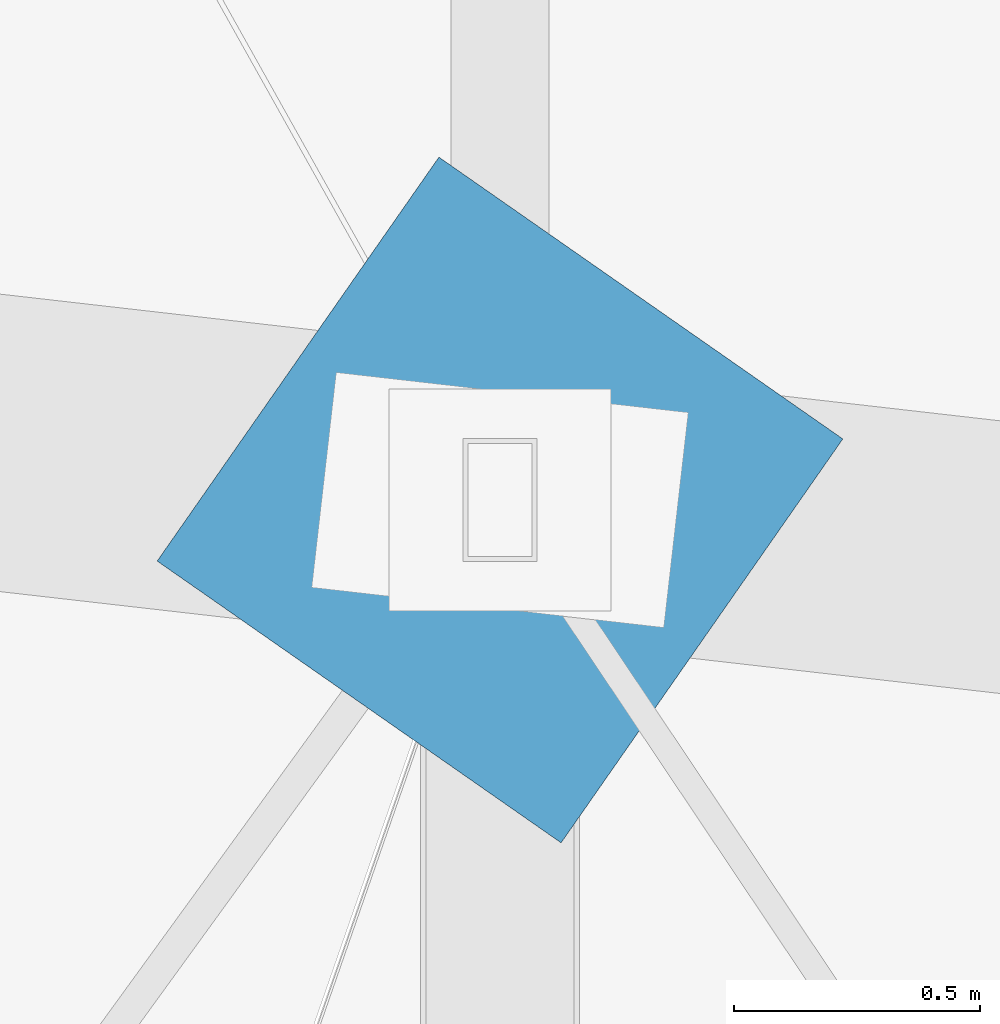
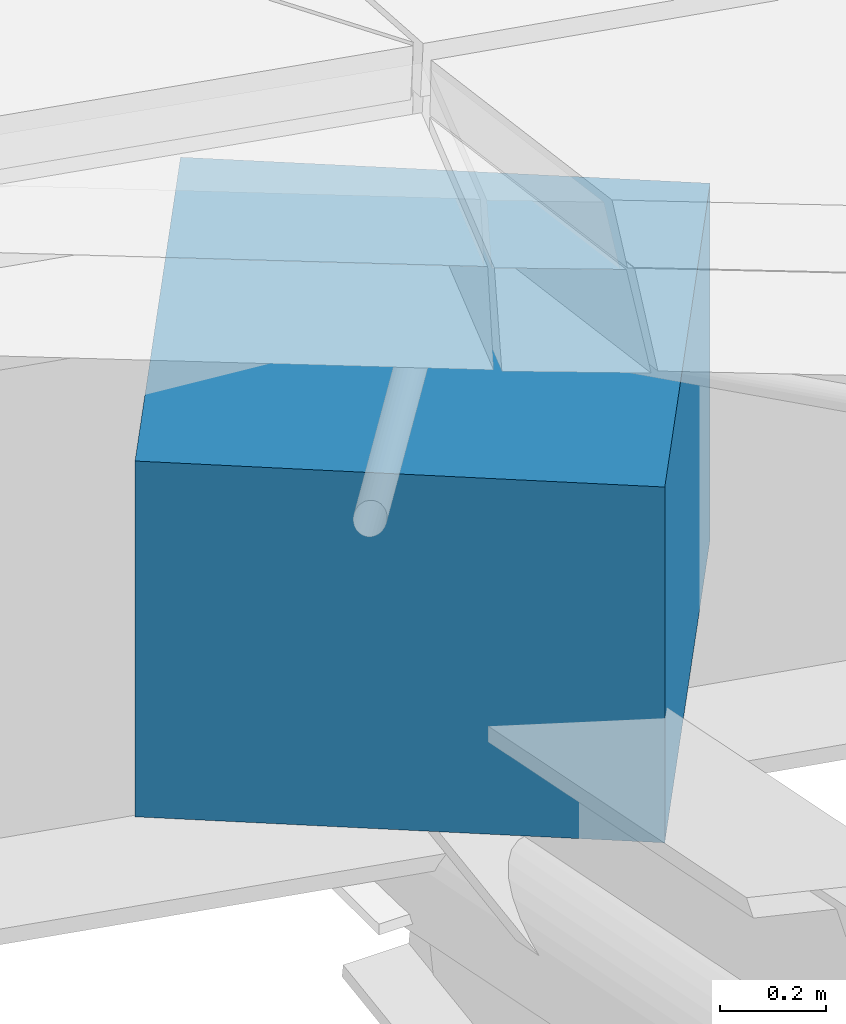
# One storey, part 5 of 68: 1 column.
"""IFC4 building model written with IfcOpenShell, lengths in metres."""

from ifc_helpers import new_model, si_unit, direction, frame, origin, origin_2d, place, context, subcontext, project, spatial, rectangle, extrude, material, material_profile, profile_set, type_object, element, save


model = new_model("IFC4")

# Units and contexts
model_context = context("Model", 3, precision=1e-05, world=origin(), true_north=direction((0.0, 1.0)))
body_context = subcontext(model_context, "Body", "Model", "MODEL_VIEW")
ifc_project = project(units=[si_unit("LENGTHUNIT", "METRE"), si_unit("AREAUNIT", "SQUARE_METRE"), si_unit("VOLUMEUNIT", "CUBIC_METRE"), si_unit("PLANEANGLEUNIT", "RADIAN"), si_unit("MASSUNIT", "GRAM", prefix="KILO")], contexts=[model_context])

# Site, building, storey
site_placement = place(None, origin())
site = spatial("IfcSite", under=ifc_project, at=site_placement, CompositionType="ELEMENT")
building_placement = place(site_placement, origin())
building = spatial("IfcBuilding", under=site, at=building_placement, Name="Sohan Crest Arena", CompositionType="ELEMENT")
storey_placement = place(building_placement, frame((0.0, 0.0, 27.0)))
storey = spatial("IfcBuildingStorey", under=building, at=storey_placement, Name="RF", CompositionType="ELEMENT", Elevation=27.0)

# Column
ifc_material = material(Name="Concrete C40/50", Category="concrete")
ifc_material_profile = material_profile(ifc_material, rectangle(XDim=1.0, YDim=1.0, at=origin_2d()), Name="RC 1000x1000")
ifc_profile_set = profile_set([ifc_material_profile], Name="Concrete C40/50")
column_type = type_object("IfcColumnType", Name="STR-COL-C09", PredefinedType="COLUMN", material=ifc_profile_set)
column_placement = place(storey_placement, frame((118.0, 106.714111328125, 0.0), z_axis=(0.0, 0.0, 1.0), x_axis=(0.572145873446, 0.820151875874, 0.0)))
element("IfcColumn", 1, at=column_placement, inside=storey, type_object=column_type, Name="Structural column COL-V1R-33-RF", PredefinedType="COLUMN", context=body_context, shape_type="SweptSolid", body=[
    extrude(rectangle(XDim=1.0, YDim=1.0, at=origin_2d()), origin(), (0.0, 0.0, 1.0), 0.81689453125),
])

save(model, "model.ifc")
